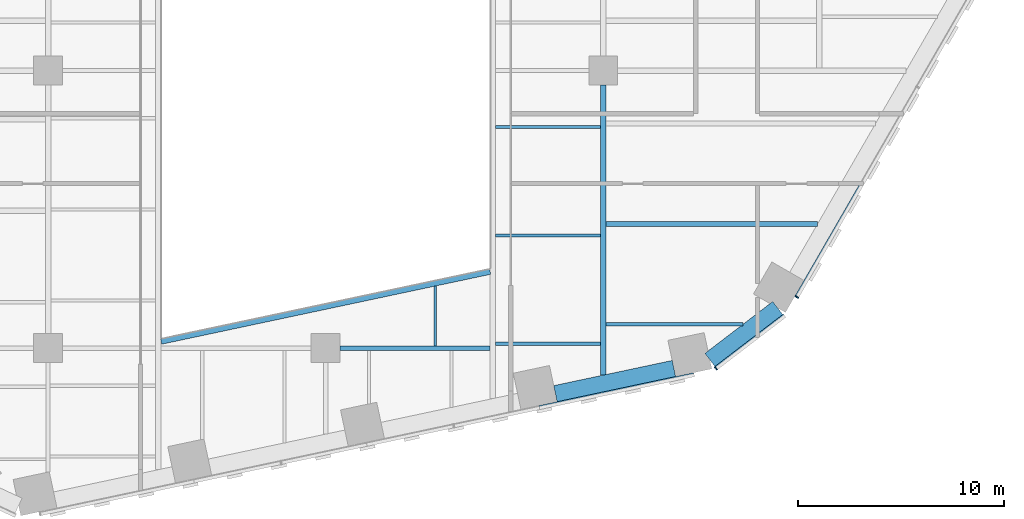
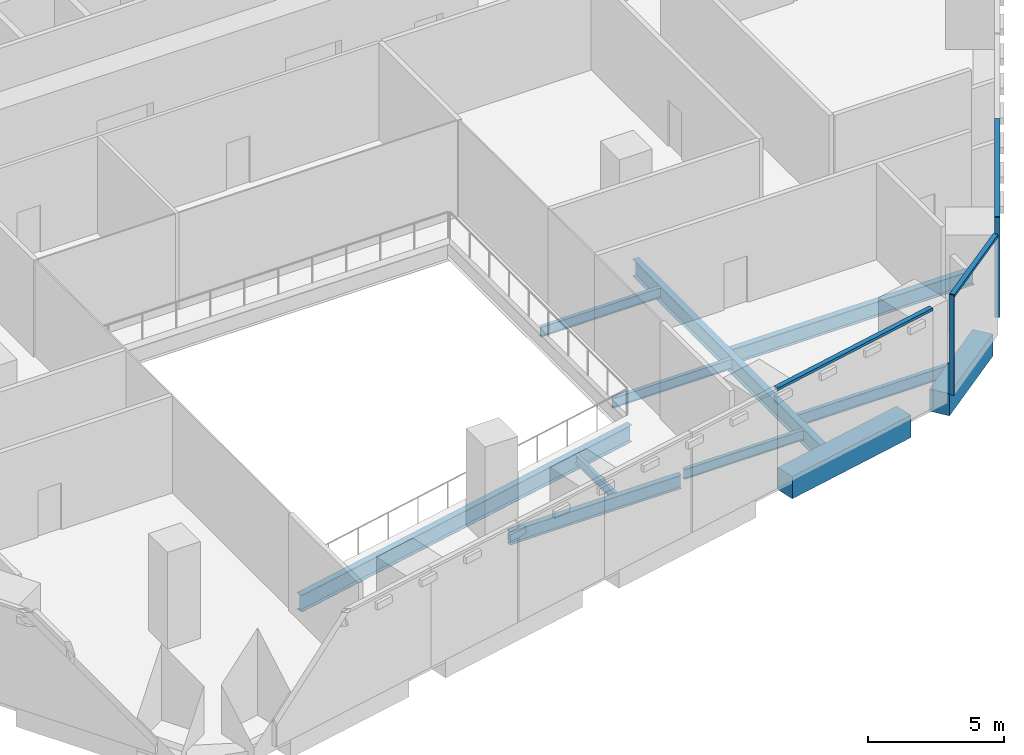
# One storey, part 5 of 19: 11 beams, 5 members, 3 elements without a shape of their own.
"""IFC4 building model written with IfcOpenShell, lengths in metres."""

from ifc_helpers import new_model, si_unit, direction, frame, origin, origin_2d, place, context, subcontext, project, spatial, rectangle, i_section, extrude, material, layer, layer_set, material_profile, profile_set, type_object, element, aggregate, save


model = new_model("IFC4")

# Units and contexts
model_context = context("Model", 3, precision=1e-05, world=origin(), true_north=direction((0.0, 1.0)))
body_context = subcontext(model_context, "Body", "Model", "MODEL_VIEW")
ifc_project = project(units=[si_unit("LENGTHUNIT", "METRE"), si_unit("AREAUNIT", "SQUARE_METRE"), si_unit("VOLUMEUNIT", "CUBIC_METRE"), si_unit("PLANEANGLEUNIT", "RADIAN"), si_unit("MASSUNIT", "GRAM", prefix="KILO")], contexts=[model_context])

# Site, building, storey
site_placement = place(None, origin())
site = spatial("IfcSite", under=ifc_project, at=site_placement, CompositionType="ELEMENT")
building_placement = place(site_placement, origin())
building = spatial("IfcBuilding", under=site, at=building_placement, Name="Isthmus Gate Tower", CompositionType="ELEMENT")
storey_placement = place(building_placement, frame((0.0, 0.0, 76.14990234375)))
storey = spatial("IfcBuildingStorey", under=building, at=storey_placement, Name="L17", CompositionType="ELEMENT", Elevation=76.14990234375)

# Curtain wall, member
ifc_material_1 = material(Name="Aluminium, pale champagne anodised", Category="aluminium")
ifc_layer = layer(ifc_material_1, 0.199951171875)
ifc_layer_set = layer_set([ifc_layer], Name="CW-2 LOUVRE CURTAIN WALL 200 DEEP")
curtain_wall_type = type_object("IfcCurtainWallType", Name="CW-2 LOUVRE CURTAIN WALL 200 DEEP", PredefinedType="NOTDEFINED", material=ifc_layer_set)
curtain_wall_1_placement = place(storey_placement, origin())
curtain_wall_1 = element("IfcCurtainWall", 1, at=curtain_wall_1_placement, inside=storey, type_object=curtain_wall_type, Name="CW-2 S-SE L17", PredefinedType="NOTDEFINED")
ifc_material_2 = material(Name="Aluminium, pale champagne anodised", Category="aluminium")
ifc_material_profile_1 = material_profile(ifc_material_2, rectangle(XDim=0.06005859375, YDim=0.199951171875, at=origin_2d()), Name="60x200")
ifc_profile_set_1 = profile_set([ifc_material_profile_1], Name="Aluminium, pale champagne anodised")
member_type_1 = type_object("IfcMemberType", Name="CW-2 MULLION 60 X 200", PredefinedType="MULLION", material=ifc_profile_set_1)
member_1_placement = place(storey_placement, frame((18.978759765625, -27.982421875, 0.0), z_axis=(0.0, 0.0, 1.0), x_axis=(0.794188594387, 0.607671355706, 0.0)))
member_1 = element("IfcMember", 2, at=member_1_placement, type_object=member_type_1, Name="CW-2 mullion", PredefinedType="MULLION", context=body_context, shape_type="SweptSolid", body=[
    extrude(rectangle(XDim=0.06005859375, YDim=0.199951171875, at=origin_2d()), origin(), (0.0, 0.0, 1.0), 4.5),
])

curtain_wall_2_placement = place(storey_placement, origin())
curtain_wall_2 = element("IfcCurtainWall", 3, at=curtain_wall_2_placement, inside=storey, type_object=curtain_wall_type, Name="CW-2 SE L17", PredefinedType="NOTDEFINED")
member_2_placement = place(storey_placement, frame((22.91357421875, -24.5126953125, 0.0), z_axis=(0.0, 0.0, 1.0), x_axis=(0.5, 0.866025403784, 0.0)))
member_2 = element("IfcMember", 4, at=member_2_placement, type_object=member_type_1, Name="CW-2 mullion", PredefinedType="MULLION", context=body_context, shape_type="SweptSolid", body=[
    extrude(rectangle(XDim=0.06005859375, YDim=0.199951171875, at=origin_2d()), origin(), (0.0, 0.0, 1.0), 4.5),
])

curtain_wall_3_placement = place(storey_placement, origin())
curtain_wall_3 = element("IfcCurtainWall", 5, at=curtain_wall_3_placement, inside=storey, type_object=curtain_wall_type, Name="CW-2 S L17", PredefinedType="NOTDEFINED")
ifc_material_3 = material(Name="Aluminium, pale champagne anodised", Category="aluminium")
ifc_material_profile_2 = material_profile(ifc_material_3, rectangle(XDim=0.199951171875, YDim=0.1201171875, at=origin_2d()), Name="200x120")
ifc_profile_set_2 = profile_set([ifc_material_profile_2], Name="Aluminium, pale champagne anodised")
member_type_2 = type_object("IfcMemberType", Name="CW-2 TRANSOM 200 X 120", PredefinedType="USERDEFINED", material=ifc_profile_set_2)
member_3_placement = place(storey_placement, frame((10.400146484375, -29.8916015625, 4.440185546875), z_axis=(0.978149085817, 0.207904703929, 0.0), x_axis=(-0.207904703929, 0.978149085817, 0.0)))
member_3 = element("IfcMember", 6, at=member_3_placement, type_object=member_type_2, Name="CW-2 transom", ObjectType="TRANSOM", PredefinedType="USERDEFINED", context=body_context, shape_type="SweptSolid", body=[
    extrude(rectangle(XDim=0.199951171875, YDim=0.1201171875, at=origin_2d()), origin(), (0.0, 0.0, 1.0), 7.689208984375),
])
aggregate(curtain_wall_3, [member_3])

# Member
member_4_placement = place(storey_placement, frame((19.002685546875, -27.96435546875, 4.440185546875), z_axis=(0.794175498212, 0.607688471209, 0.0), x_axis=(-0.607688471209, 0.794175498212, 0.0)))
member_4 = element("IfcMember", 7, at=member_4_placement, type_object=member_type_2, Name="CW-2 transom", ObjectType="TRANSOM", PredefinedType="USERDEFINED", context=body_context, shape_type="SweptSolid", body=[
    extrude(rectangle(XDim=0.199951171875, YDim=0.1201171875, at=origin_2d()), origin(), (0.0, 0.0, 1.0), 4.181396484375),
])

aggregate(curtain_wall_1, [member_1, member_4])

member_5_placement = place(storey_placement, frame((22.928466796875, -24.486572265625, 4.440185546875), z_axis=(0.50002426866, 0.866011391814, 0.0), x_axis=(-0.866011391814, 0.50002426866, 0.0)))
member_5 = element("IfcMember", 8, at=member_5_placement, type_object=member_type_2, Name="CW-2 transom", ObjectType="TRANSOM", PredefinedType="USERDEFINED", context=body_context, shape_type="SweptSolid", body=[
    extrude(rectangle(XDim=0.199951171875, YDim=0.1201171875, at=origin_2d()), origin(), (0.0, 0.0, 1.0), 6.278564453125),
])

aggregate(curtain_wall_2, [member_2, member_5])

# Beams
ifc_material_4 = material(Name="Concrete f'c 70 MPa", Category="concrete")
ifc_material_profile_3 = material_profile(ifc_material_4, rectangle(XDim=0.800048828125, YDim=1.0, at=origin_2d()), Name="RC 800X1000")
ifc_profile_set_3 = profile_set([ifc_material_profile_3], Name="Concrete f'c 70 MPa")
beam_type_1 = type_object("IfcBeamType", Name="RC SPANDREL 800 X 1000", PredefinedType="SPANDREL", material=ifc_profile_set_3)
beam_1_placement = place(storey_placement, frame((21.98681640625, -25.051513671875, -0.5), z_axis=(-0.794205941875, -0.607648682949, 0.0), x_axis=(0.607648682949, -0.794205941875, 0.0)))
element("IfcBeam", 9, at=beam_1_placement, inside=storey, type_object=beam_type_1, Name="str-spandrel-L17-09", PredefinedType="SPANDREL", context=body_context, shape_type="SweptSolid", body=[
    extrude(rectangle(XDim=0.800048828125, YDim=1.0, at=origin_2d()), origin(), (0.0, 0.0, 1.0), 4.15234375),
])
beam_2_placement = place(storey_placement, frame((16.937255859375, -27.990966796875, -0.5), z_axis=(-0.97815168619, -0.207892469327, 0.0), x_axis=(0.207892469327, -0.97815168619, 0.0)))
element("IfcBeam", 10, at=beam_2_placement, inside=storey, type_object=beam_type_1, Name="str-spandrel-L17-10", PredefinedType="SPANDREL", context=body_context, shape_type="SweptSolid", body=[
    extrude(rectangle(XDim=0.800048828125, YDim=1.0, at=origin_2d()), origin(), (0.0, 0.0, 1.0), 5.889404296875),
])
ifc_material_5 = material(Name="Structural steel ASTM A992 Gr 50", Category="steel")
ifc_material_profile_4 = material_profile(ifc_material_5, i_section(OverallWidth=0.1396484375, OverallDepth=0.4033203125, WebThickness=0.00634765625, FlangeThickness=0.010986328125, at=origin_2d()), Name="W16X31")
ifc_profile_set_4 = profile_set([ifc_material_profile_4], Name="Structural steel ASTM A992 Gr 50")
beam_type_2 = type_object("IfcBeamType", Name="STEEL FLOOR BEAM W16X31", PredefinedType="JOIST", material=ifc_profile_set_4)
beam_3_placement = place(storey_placement, frame((5.333251953125, -26.8857421875, -0.50146484375), z_axis=(0.0, 1.0, 0.0), x_axis=(-1.0, 0.0, 0.0)))
element("IfcBeam", 11, at=beam_3_placement, inside=storey, type_object=beam_type_2, Name="str-beam-L17-17-00", PredefinedType="JOIST", context=body_context, shape_type="SweptSolid", body=[
    extrude(i_section(OverallWidth=0.1396484375, OverallDepth=0.4033203125, WebThickness=0.00634765625, FlangeThickness=0.010986328125, at=origin_2d()), origin(), (0.0, 0.0, 1.0), 2.903076171875),
])
ifc_material_6 = material(Name="Structural steel ASTM A992 Gr 50", Category="steel")
ifc_material_profile_5 = material_profile(ifc_material_6, i_section(OverallWidth=0.15234375, OverallDepth=0.45068359375, WebThickness=0.0078125, FlangeThickness=0.010986328125, at=origin_2d()), Name="W18X35")
ifc_profile_set_5 = profile_set([ifc_material_profile_5], Name="Structural steel ASTM A992 Gr 50")
beam_type_3 = type_object("IfcBeamType", Name="STEEL FLOOR BEAM W18X35", PredefinedType="JOIST", material=ifc_profile_set_5)
for number, where, z_axis, x_axis, name in (
    (12, (8.263427734375, -26.788818359375, -0.525390625), (1.0, 0.0, 0.0), (0.0, 1.0, 0.0), "str-beam-L17-22-00"),
    (13, (8.263427734375, -21.51513671875, -0.525390625), (1.0, 0.0, 0.0), (0.0, 1.0, 0.0), "str-beam-L17-22-01"),
    (14, (8.263427734375, -16.241455078125, -0.525390625), (1.0, 0.0, 0.0), (0.0, 1.0, 0.0), "str-beam-L17-22-02"),
):
    element("IfcBeam", number, at=place(storey_placement, frame(where, z_axis=z_axis, x_axis=x_axis)), inside=storey, type_object=beam_type_3, Name=name, PredefinedType="JOIST", context=body_context, shape_type="SweptSolid", body=[
        extrude(i_section(OverallWidth=0.15234375, OverallDepth=0.45068359375, WebThickness=0.0078125, FlangeThickness=0.010986328125, at=origin_2d()), origin(), (0.0, 0.0, 1.0), 5.103271484375),
    ])
ifc_material_7 = material(Name="Structural steel ASTM A992 Gr 50", Category="steel")
ifc_material_profile_6 = material_profile(ifc_material_7, i_section(OverallWidth=0.1650390625, OverallDepth=0.52392578125, WebThickness=0.009521484375, FlangeThickness=0.010986328125, at=origin_2d()), Name="W21X44")
ifc_profile_set_6 = profile_set([ifc_material_profile_6], Name="Structural steel ASTM A992 Gr 50")
beam_type_4 = type_object("IfcBeamType", Name="STEEL FLOOR BEAM W21X44", PredefinedType="JOIST", material=ifc_profile_set_6)
beam_4_placement = place(storey_placement, frame((13.63330078125, -25.842529296875, -0.561767578125), z_axis=(1.0, 0.0, 0.0), x_axis=(0.0, 1.0, 0.0)))
element("IfcBeam", 15, at=beam_4_placement, inside=storey, type_object=beam_type_4, Name="str-beam-L17-28-00", PredefinedType="JOIST", context=body_context, shape_type="SweptSolid", body=[
    extrude(i_section(OverallWidth=0.1650390625, OverallDepth=0.52392578125, WebThickness=0.009521484375, FlangeThickness=0.010986328125, at=origin_2d()), origin(), (0.0, 0.0, 1.0), 6.661376953125),
])
ifc_material_8 = material(Name="Structural steel ASTM A992 Gr 50", Category="steel")
ifc_material_profile_7 = material_profile(ifc_material_8, i_section(OverallWidth=0.25390625, OverallDepth=0.679443359375, WebThickness=0.010986328125, FlangeThickness=0.015869140625, at=origin_2d()), Name="W27X84")
ifc_profile_set_7 = profile_set([ifc_material_profile_7], Name="Structural steel ASTM A992 Gr 50")
beam_type_5 = type_object("IfcBeamType", Name="STEEL FLOOR BEAM W27X84", PredefinedType="JOIST", material=ifc_profile_set_7)
beam_5_placement = place(storey_placement, frame((13.63330078125, -20.958740234375, -0.6396484375), z_axis=(1.0, 0.0, 0.0), x_axis=(0.0, 1.0, 0.0)))
element("IfcBeam", 16, at=beam_5_placement, inside=storey, type_object=beam_type_5, Name="str-beam-L17-28-01", PredefinedType="JOIST", context=body_context, shape_type="SweptSolid", body=[
    extrude(i_section(OverallWidth=0.25390625, OverallDepth=0.679443359375, WebThickness=0.010986328125, FlangeThickness=0.015869140625, at=origin_2d()), origin(), (0.0, 0.0, 1.0), 10.292724609375),
])
ifc_material_9 = material(Name="Structural steel ASTM A992 Gr 50", Category="steel")
ifc_material_profile_8 = material_profile(ifc_material_9, i_section(OverallWidth=0.228515625, OverallDepth=0.603271484375, WebThickness=0.010986328125, FlangeThickness=0.014404296875, at=origin_2d()), Name="W24X68")
ifc_profile_set_8 = profile_set([ifc_material_profile_8], Name="Structural steel ASTM A992 Gr 50")
beam_type_6 = type_object("IfcBeamType", Name="STEEL GIRDER W24X68", PredefinedType="BEAM", material=ifc_profile_set_8)
beam_6_placement = place(storey_placement, frame((0.699951171875, -27.0, -0.6015625), z_axis=(1.0, 0.0, 0.0), x_axis=(0.0, 1.0, 0.0)))
element("IfcBeam", 17, at=beam_6_placement, inside=storey, type_object=beam_type_6, Name="str-girder-L17-04", PredefinedType="BEAM", context=body_context, shape_type="SweptSolid", body=[
    extrude(i_section(OverallWidth=0.228515625, OverallDepth=0.603271484375, WebThickness=0.010986328125, FlangeThickness=0.014404296875, at=origin_2d()), origin(), (0.0, 0.0, 1.0), 7.300048828125),
])
ifc_material_10 = material(Name="Structural steel ASTM A992 Gr 50", Category="steel")
ifc_material_profile_9 = material_profile(ifc_material_10, i_section(OverallWidth=0.2666015625, OverallDepth=0.7587890625, WebThickness=0.014404296875, FlangeThickness=0.01904296875, at=origin_2d()), Name="W30X108")
ifc_profile_set_9 = profile_set([ifc_material_profile_9], Name="Structural steel ASTM A992 Gr 50")
beam_type_7 = type_object("IfcBeamType", Name="STEEL GIRDER W30X108", PredefinedType="BEAM", material=ifc_profile_set_9)
beam_7_placement = place(storey_placement, frame((13.5, -28.3125, -0.67919921875), z_axis=(0.0, 1.0, 0.0), x_axis=(-1.0, 0.0, 0.0)))
element("IfcBeam", 18, at=beam_7_placement, inside=storey, type_object=beam_type_7, Name="str-girder-L17-31", PredefinedType="BEAM", context=body_context, shape_type="SweptSolid", body=[
    extrude(i_section(OverallWidth=0.2666015625, OverallDepth=0.7587890625, WebThickness=0.014404296875, FlangeThickness=0.01904296875, at=origin_2d()), origin(), (0.0, 0.0, 1.0), 14.112548828125),
])
ifc_material_11 = material(Name="Structural steel ASTM A992 Gr 50", Category="steel")
ifc_material_profile_10 = material_profile(ifc_material_11, i_section(OverallWidth=0.2666015625, OverallDepth=0.7587890625, WebThickness=0.014404296875, FlangeThickness=0.01904296875, at=origin_2d()), Name="W30X108")
ifc_profile_set_10 = profile_set([ifc_material_profile_10], Name="Structural steel ASTM A992 Gr 50")
beam_type_8 = type_object("IfcBeamType", Name="STEEL TRIMMER W30X108", PredefinedType="BEAM", material=ifc_profile_set_10)
beam_8_placement = place(storey_placement, frame((-8.0, -26.680419921875, -0.67919921875), z_axis=(0.978147924985, 0.20791016533, 0.0), x_axis=(-0.20791016533, 0.978147924985, 0.0)))
element("IfcBeam", 19, at=beam_8_placement, inside=storey, type_object=beam_type_8, Name="str-trimmer-L17-03", PredefinedType="BEAM", context=body_context, shape_type="SweptSolid", body=[
    extrude(i_section(OverallWidth=0.2666015625, OverallDepth=0.7587890625, WebThickness=0.014404296875, FlangeThickness=0.01904296875, at=origin_2d()), origin(), (0.0, 0.0, 1.0), 16.357421875),
])

save(model, "model.ifc")
